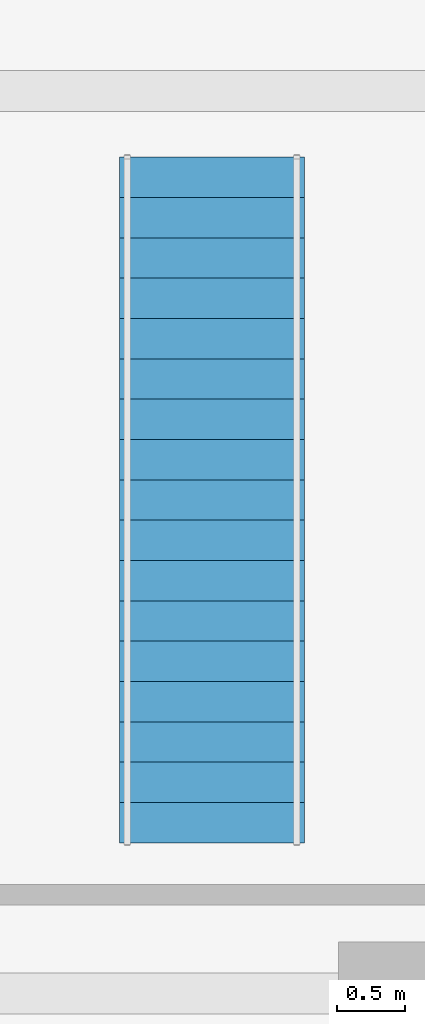
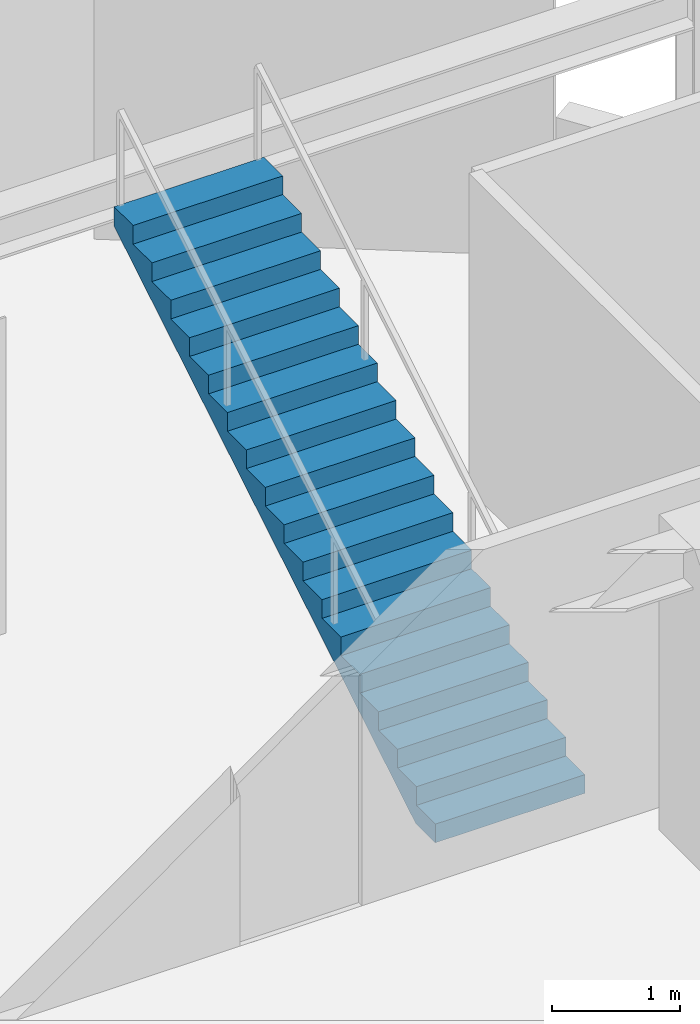
# One storey, part 11 of 13: 1 stair flight, 1 element without a shape of its own.
"""IFC4 building model written with IfcOpenShell, lengths in metres."""

from ifc_helpers import new_model, si_unit, direction, frame, origin, place, context, subcontext, project, spatial, polyline, outline, extrude, material, type_object, element, aggregate, save


model = new_model("IFC4")

# Units and contexts
model_context = context("Model", 3, precision=1e-05, world=origin(), true_north=direction((0.0, 1.0)))
body_context = subcontext(model_context, "Body", "Model", "MODEL_VIEW")
ifc_project = project(units=[si_unit("LENGTHUNIT", "METRE"), si_unit("AREAUNIT", "SQUARE_METRE"), si_unit("VOLUMEUNIT", "CUBIC_METRE"), si_unit("PLANEANGLEUNIT", "RADIAN"), si_unit("MASSUNIT", "GRAM", prefix="KILO")], contexts=[model_context])

# Site, building, storey
site_placement = place(None, origin())
site = spatial("IfcSite", under=ifc_project, at=site_placement, CompositionType="ELEMENT")
building_placement = place(site_placement, origin())
building = spatial("IfcBuilding", under=site, at=building_placement, Name="Keilestroom Media Tower", CompositionType="ELEMENT")
storey_placement = place(building_placement, frame((0.0, 0.0, 230.0)))
storey = spatial("IfcBuildingStorey", under=building, at=storey_placement, Name="L63", CompositionType="ELEMENT", Elevation=230.0)

# Stair, stair flight
ifc_material = material(Name="Steel S355", Category="steel")
stair_type = type_object("IfcStairType", Name="Inter-Floor-Feature-Stair-ST-FEAT", PredefinedType="STRAIGHT_RUN_STAIR", material=ifc_material)
stair_placement = place(storey_placement, origin())
stair = element("IfcStair", 1, at=stair_placement, inside=storey, type_object=stair_type, Name="L63-L64 Atrium Feature Stair ST-F2", PredefinedType="STRAIGHT_RUN_STAIR")
stair_flight_type = type_object("IfcStairFlightType", Name="Steel-Feature-Stair-Flight-160", PredefinedType="STRAIGHT", material=ifc_material)
stair_flight_placement = place(storey_placement, frame((2.300048828125, 10.10009765625, 0.0), z_axis=(0.0, 0.0, 1.0), x_axis=(0.0, 1.0, 0.0)))
stair_flight = element("IfcStairFlight", 2, at=stair_flight_placement, type_object=stair_flight_type, Name="ST-F2 Straight Feature Flight", NumberOfRisers=18, NumberOfTreads=17, PredefinedType="STRAIGHT", RiserHeight=0.177778, TreadLength=0.295, context=body_context, shape_type="SweptSolid", body=[
    extrude(outline(polyline([(0.0, 0.0), (0.0, 0.177734375), (0.294921875, 0.177734375), (0.294921875, 0.35546875), (0.590087890625, 0.35546875), (0.590087890625, 0.533447265625), (0.885009765625, 0.533447265625), (0.885009765625, 0.711181640625), (1.179931640625, 0.711181640625), (1.179931640625, 0.888916015625), (1.47509765625, 0.888916015625), (1.47509765625, 1.066650390625), (1.77001953125, 1.066650390625), (1.77001953125, 1.244384765625), (2.06494140625, 1.244384765625), (2.06494140625, 1.422119140625), (2.360107421875, 1.422119140625), (2.360107421875, 1.60009765625), (2.655029296875, 1.60009765625), (2.655029296875, 1.77783203125), (2.949951171875, 1.77783203125), (2.949951171875, 1.95556640625), (3.2451171875, 1.95556640625), (3.2451171875, 2.13330078125), (3.5400390625, 2.13330078125), (3.5400390625, 2.31103515625), (3.8349609375, 2.31103515625), (3.8349609375, 2.489013671875), (4.1298828125, 2.489013671875), (4.1298828125, 2.666748046875), (4.425048828125, 2.666748046875), (4.425048828125, 2.844482421875), (4.719970703125, 2.844482421875), (4.719970703125, 3.022216796875), (5.014892578125, 3.022216796875), (5.014892578125, 3.199951171875), (5.014892578125, 2.83544921875), (0.309814453125, 0.0), (0.0, 0.0)])), frame((0.0, 0.675048828125, 0.0), z_axis=(0.0, -1.0, 0.0), x_axis=(1.0, 0.0, 0.0)), (0.0, 0.0, 1.0), 1.35009765625),
])
aggregate(stair, [stair_flight])

save(model, "model.ifc")
